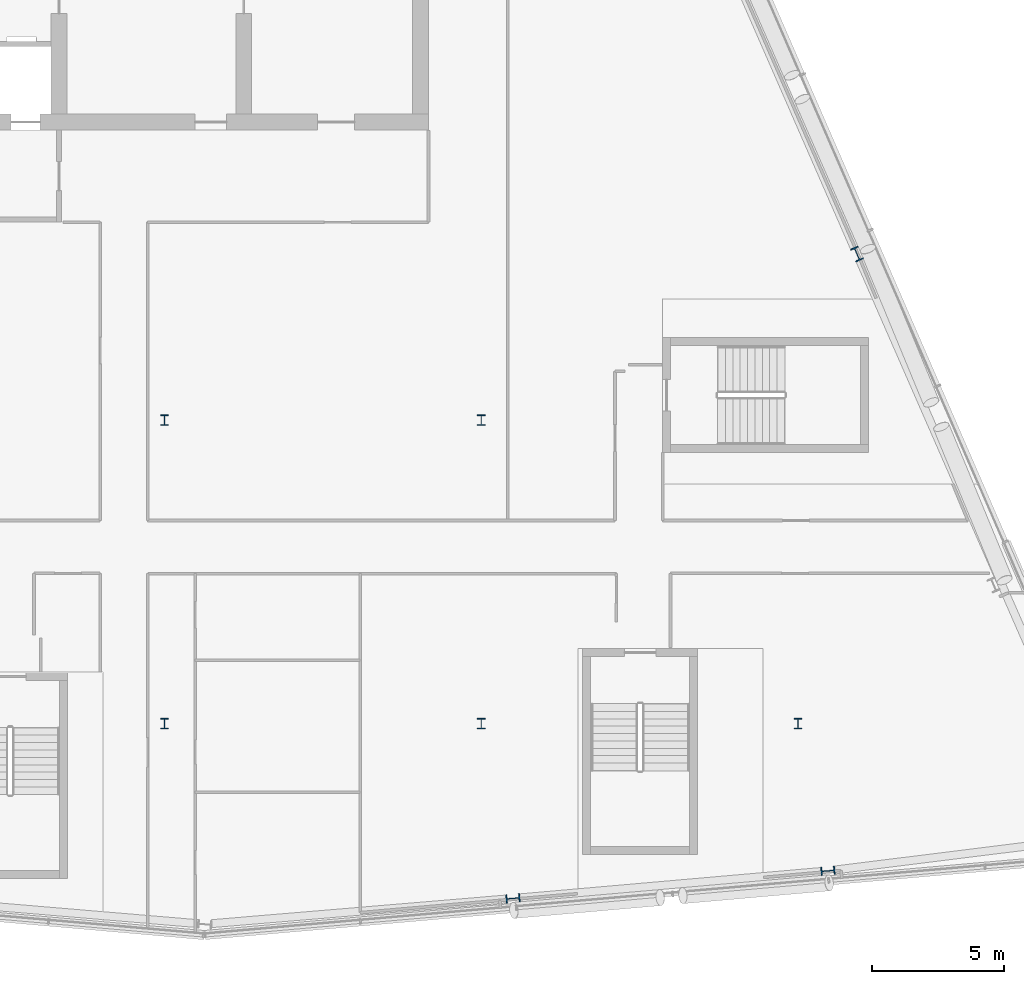
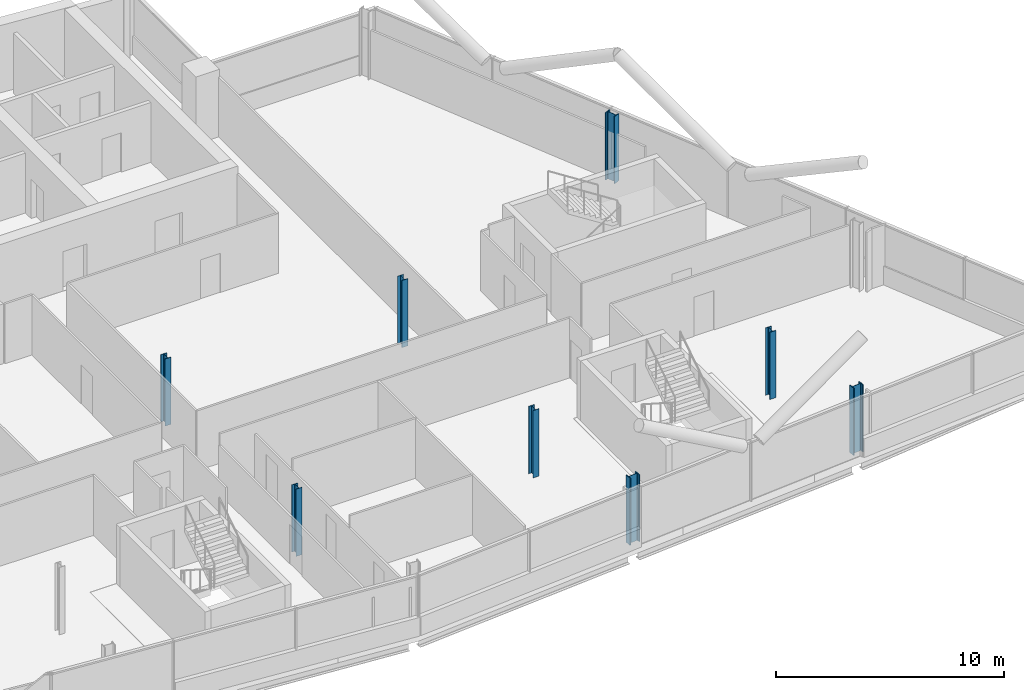
# One storey, part 2 of 26: 8 columns.
"""IFC4 building model written with IfcOpenShell, lengths in metres."""

import ifcopenshell
import ifcopenshell.guid

model = None  # the IFC model being written
_history = None  # IfcOwnerHistory: only IFC2X3 demands one
_inside = {}  # id of a spatial element -> (the spatial element, [elements in it])
_under = {}  # id of a project, library or spatial element -> (it, [spatial elements below it])
_declared = {}  # id of a project -> (the project, [libraries it declares])
_typed = {}  # id of a type object -> (the type object, [elements of that type])
_made_of = {}  # id of a material, layer set ... -> (it, [elements and type objects made of it])


def new_model(schema):
    """Start an empty IFC model of exactly this schema.

    Asked for "IFC4X3", IfcOpenShell would pick the latest addendum, in which some entities
    have other attributes; the version numbers below select the first issue.
    IFC2X3 requires an IfcOwnerHistory on every rooted entity: one is made here for all.
    """
    global model, _history
    if schema == "IFC4X3":
        model = ifcopenshell.file(schema_version=(4, 3, 0, 0))
    else:
        model = ifcopenshell.file(schema=schema)
    _inside.clear()
    _under.clear()
    _declared.clear()
    _typed.clear()
    _made_of.clear()
    _history = None
    if model.schema == "IFC2X3":
        org = make("IfcOrganization", Name="unknown")
        user = make(
            "IfcPersonAndOrganization",
            ThePerson=make("IfcPerson", FamilyName="unknown"),
            TheOrganization=org,
        )
        app = make(
            "IfcApplication",
            ApplicationDeveloper=org,
            Version="unknown",
            ApplicationFullName="unknown",
            ApplicationIdentifier="unknown",
        )
        _history = make(
            "IfcOwnerHistory",
            OwningUser=user,
            OwningApplication=app,
            ChangeAction="ADDED",
            CreationDate=0,
        )
    return model


def make(cls, **values):
    """One entity of the class cls with the attributes given. An attribute that is None is left unset."""
    return model.create_entity(
        cls, **{name: value for name, value in values.items() if value is not None}
    )


def rooted(cls, **values):
    """An entity with a GlobalId (a new one), such as an element, a storey or a relation."""
    return make(cls, GlobalId=ifcopenshell.guid.new(), OwnerHistory=_history, **values)


def si_unit(unit_type, name, prefix=None):
    """IfcSIUnit, for example si_unit("LENGTHUNIT", "METRE", prefix="MILLI")."""
    return make("IfcSIUnit", UnitType=unit_type, Prefix=prefix, Name=name)


def assignment(units):
    """IfcUnitAssignment: the units of a project."""
    return None if units is None else make("IfcUnitAssignment", Units=units)


def point(xyz):
    """IfcCartesianPoint."""
    return None if xyz is None else make("IfcCartesianPoint", Coordinates=xyz)


def direction(xyz):
    """IfcDirection."""
    return None if xyz is None else make("IfcDirection", DirectionRatios=xyz)


def frame(location, z_axis=None, x_axis=None):
    """IfcAxis2Placement3D, a coordinate frame: its origin and axes. An axis left out is left unset."""
    return make(
        "IfcAxis2Placement3D",
        Location=point(location),
        Axis=direction(z_axis),
        RefDirection=direction(x_axis),
    )


def frame_2d(location, x_axis=None):
    """IfcAxis2Placement2D, a coordinate frame in the plane: its origin and x axis."""
    return make(
        "IfcAxis2Placement2D", Location=point(location), RefDirection=direction(x_axis)
    )


def origin():
    """The frame at (0, 0, 0) with its axes left unset."""
    return frame((0.0, 0.0, 0.0))


def origin_2d():
    """The frame at (0, 0) in the plane with its x axis left unset."""
    return frame_2d((0.0, 0.0))


def place(relative_to, where):
    """IfcLocalPlacement: puts the frame where relative to a parent placement (None: the world)."""
    return make(
        "IfcLocalPlacement", PlacementRelTo=relative_to, RelativePlacement=where
    )


def context(
    kind, dimensions, precision=None, world=None, true_north=None, identifier=None
):
    """IfcGeometricRepresentationContext, for example the 3D "Model" context."""
    return make(
        "IfcGeometricRepresentationContext",
        ContextIdentifier=identifier,
        ContextType=kind,
        CoordinateSpaceDimension=dimensions,
        Precision=precision,
        WorldCoordinateSystem=world,
        TrueNorth=true_north,
    )


def subcontext(parent, identifier, kind, view, scale=None):
    """IfcGeometricRepresentationSubContext, for example "Body" below "Model"."""
    return make(
        "IfcGeometricRepresentationSubContext",
        ContextIdentifier=identifier,
        ContextType=kind,
        ParentContext=parent,
        TargetScale=scale,
        TargetView=view,
    )


def project(units=None, contexts=None):
    """IfcProject with its units and contexts."""
    return rooted(
        "IfcProject",
        Name="project",
        RepresentationContexts=contexts,
        UnitsInContext=assignment(units),
    )


def spatial(cls, under=None, at=None, **own):
    """A site, building, storey or space (cls), placed at a placement, below another one or the project."""
    s = rooted(cls, ObjectPlacement=at, **own)
    if under is not None:
        _under.setdefault(under.id(), (under, []))[1].append(s)
    return s


def profile(cls, at=None, kind="AREA", **sizes):
    """A parametric profile (cls). Its sizes go by their IFC names, for example OverallWidth=200.0."""
    return make(cls, ProfileType=kind, Position=at, **sizes)


def i_section(**sizes):
    """IfcIShapeProfileDef."""
    return profile("IfcIShapeProfileDef", **sizes)


def extrude(swept, where, along, depth):
    """IfcExtrudedAreaSolid: the profile swept, set in the frame where, extruded along a direction by depth."""
    return make(
        "IfcExtrudedAreaSolid",
        SweptArea=swept,
        Position=where,
        ExtrudedDirection=direction(along),
        Depth=depth,
    )


def shape(context_of_items, identifier, shape_type, items):
    """IfcShapeRepresentation: the items that make up one representation, for example the "Body"."""
    return make(
        "IfcShapeRepresentation",
        ContextOfItems=context_of_items,
        RepresentationIdentifier=identifier,
        RepresentationType=shape_type,
        Items=items,
    )


def material(Name=None, Category=None):
    """IfcMaterial."""
    return make("IfcMaterial", Name=Name, Category=Category)


def material_profile(
    of_material, cross_section, Name=None, Category=None, Priority=None
):
    """IfcMaterialProfile: a cross section and its material."""
    return make(
        "IfcMaterialProfile",
        Name=Name,
        Material=of_material,
        Profile=cross_section,
        Priority=Priority,
        Category=Category,
    )


def profile_set(profiles, Name=None, composite=None):
    """IfcMaterialProfileSet."""
    return make(
        "IfcMaterialProfileSet",
        Name=Name,
        MaterialProfiles=profiles,
        CompositeProfile=composite,
    )


def made_of(thing, what):
    """Note that an element or type object is made of a material, layer set ...; save() writes the relation."""
    if what is not None:
        _made_of.setdefault(what.id(), (what, []))[1].append(thing)
    return thing


def type_object(cls, material=None, **own):
    """A type object (cls), such as IfcWallType, which elements share."""
    return made_of(rooted(cls, **own), material)


def element(
    cls,
    number,
    at=None,
    inside=None,
    cuts=None,
    type_object=None,
    material=None,
    context=None,
    identifier="Body",
    shape_type=None,
    held_by="IfcProductDefinitionShape",
    body=None,
    shapes=None,
    **own,
):
    """One element of the class cls, such as IfcWall. Its Tag is "e" and its number.

    at: its placement. inside: the storey or other place that contains it. cuts: it is an
    opening in that element (IfcRelVoidsElement). A single representation is given by context,
    identifier, shape_type and body (its items); several are given by shapes. held_by: the class
    of the entity that holds the representations. save() writes the other relations.
    """
    e = rooted(cls, Tag="e%d" % number, ObjectPlacement=at, **own)
    if body is not None:
        shapes = [shape(context, identifier, shape_type, body)]
    if shapes is not None:
        e.Representation = make(held_by, Representations=shapes)
    if inside is not None:
        _inside.setdefault(inside.id(), (inside, []))[1].append(e)
    if cuts is not None:
        rooted(
            "IfcRelVoidsElement", RelatingBuildingElement=cuts, RelatedOpeningElement=e
        )
    if type_object is not None:
        _typed.setdefault(type_object.id(), (type_object, []))[1].append(e)
    return made_of(e, material)


def aggregate(whole, parts):
    """IfcRelAggregates: a whole, such as a stair, and the parts it consists of."""
    return rooted("IfcRelAggregates", RelatingObject=whole, RelatedObjects=parts)


def save(model, path):
    """Write the relations noted so far, then the file.

    IfcRelAggregates (storeys below a building ...), IfcRelContainedInSpatialStructure (elements
    in a storey), IfcRelDefinesByType, IfcRelAssociatesMaterial and IfcRelDeclares: one each for
    every whole, place, type object, material and project.
    """
    for whole, parts in _under.values():
        aggregate(whole, parts)
    for where, things in _inside.values():
        rooted(
            "IfcRelContainedInSpatialStructure",
            RelatedElements=things,
            RelatingStructure=where,
        )
    for kind, things in _typed.values():
        rooted("IfcRelDefinesByType", RelatedObjects=things, RelatingType=kind)
    for what, things in _made_of.values():
        rooted("IfcRelAssociatesMaterial", RelatedObjects=things, RelatingMaterial=what)
    for by, libraries in _declared.values():
        rooted("IfcRelDeclares", RelatingContext=by, RelatedDefinitions=libraries)
    model.write(path)


model = new_model("IFC4")

# Units and contexts
model_context = context("Model", 3, precision=1e-05, world=origin(), true_north=direction((0.0, 1.0)))
body_context = subcontext(model_context, "Body", "Model", "MODEL_VIEW")
ifc_project = project(units=[si_unit("LENGTHUNIT", "METRE"), si_unit("AREAUNIT", "SQUARE_METRE"), si_unit("VOLUMEUNIT", "CUBIC_METRE"), si_unit("PLANEANGLEUNIT", "RADIAN"), si_unit("MASSUNIT", "GRAM", prefix="KILO")], contexts=[model_context])

# Site, building, storey
site_placement = place(None, origin())
site = spatial("IfcSite", under=ifc_project, at=site_placement, CompositionType="ELEMENT")
building_placement = place(site_placement, origin())
building = spatial("IfcBuilding", under=site, at=building_placement, Name="Wharfspan Tower", CompositionType="ELEMENT")
storey_placement = place(building_placement, frame((0.0, 0.0, 214.300049)))
storey = spatial("IfcBuildingStorey", under=building, at=storey_placement, Name="L53", CompositionType="ELEMENT", Elevation=214.300049)

# Columns
ifc_material = material(Name="Steel S355J2", Category="steel")
ifc_material_profile_1 = material_profile(ifc_material, i_section(OverallWidth=0.300049, OverallDepth=0.399902, WebThickness=0.013428, FlangeThickness=0.023926, FilletRadius=0.0271, at=origin_2d()))
ifc_profile_set_1 = profile_set([ifc_material_profile_1], Name="Steel S355J2")
column_type_1 = type_object("IfcColumnType", Name="Column HEB 400", PredefinedType="COLUMN", material=ifc_profile_set_1)
for number, where, z_axis, x_axis, name in (
    (1, (48.0, 11.5, 0.0), (0.0, 0.0, 1.0), (1.0, 0.0, 0.0), "Interior column I.1.3 L53"),
    (2, (60.0, 11.5, 0.0), (0.0, 0.0, 1.0), (1.0, 0.0, 0.0), "Interior column I.1.4 L53"),
    (3, (72.0, 11.5, 0.0), (0.0, 0.0, 1.0), (1.0, 0.0, 0.0), "Interior column I.1.5 L53"),
    (4, (48.0, 23.0, 0.0), (0.0, 0.0, 1.0), (1.0, 0.0, 0.0), "Interior column I.2.3 L53"),
    (5, (60.0, 23.0, 0.0), (0.0, 0.0, 1.0), (1.0, 0.0, 0.0), "Interior column I.2.4 L53"),
):
    element("IfcColumn", number, at=place(storey_placement, frame(where, z_axis=z_axis, x_axis=x_axis)), inside=storey, type_object=column_type_1, Name=name, PredefinedType="COLUMN", context=body_context, shape_type="SweptSolid", body=[
        extrude(i_section(OverallWidth=0.300049, OverallDepth=0.399902, WebThickness=0.013428, FlangeThickness=0.023926, FilletRadius=0.0271, at=origin_2d()), origin(), (0.0, 0.0, 1.0), 3.599854),
    ])
ifc_material_profile_2 = material_profile(ifc_material, i_section(OverallWidth=0.305908, OverallDepth=0.523926, WebThickness=0.020996, FlangeThickness=0.040039, FilletRadius=0.0271, at=origin_2d()))
ifc_profile_set_2 = profile_set([ifc_material_profile_2], Name="Steel S355J2")
column_type_2 = type_object("IfcColumnType", Name="Column HEM 500", PredefinedType="COLUMN", material=ifc_profile_set_2)
for number, where, z_axis, x_axis, name in (
    (6, (61.202393, 4.879395, 0.0), (0.0, 0.0, 1.0), (0.087156, -0.996197, 0.0), "Perimeter column PS2.1 L53"),
    (7, (73.135254, 5.92334, 0.0), (0.0, 0.0, 1.0), (0.087156, -0.996197, 0.0), "Perimeter column PS2.2 L53"),
    (8, (74.235352, 29.294922, 0.0), (0.0, 0.0, 1.0), (0.917072, 0.398727, 0.0), "Perimeter column PE.2 L53"),
):
    element("IfcColumn", number, at=place(storey_placement, frame(where, z_axis=z_axis, x_axis=x_axis)), inside=storey, type_object=column_type_2, Name=name, PredefinedType="COLUMN", context=body_context, shape_type="SweptSolid", body=[
        extrude(i_section(OverallWidth=0.305908, OverallDepth=0.523926, WebThickness=0.020996, FlangeThickness=0.040039, FilletRadius=0.0271, at=origin_2d()), origin(), (0.0, 0.0, 1.0), 3.599854),
    ])

save(model, "model.ifc")
